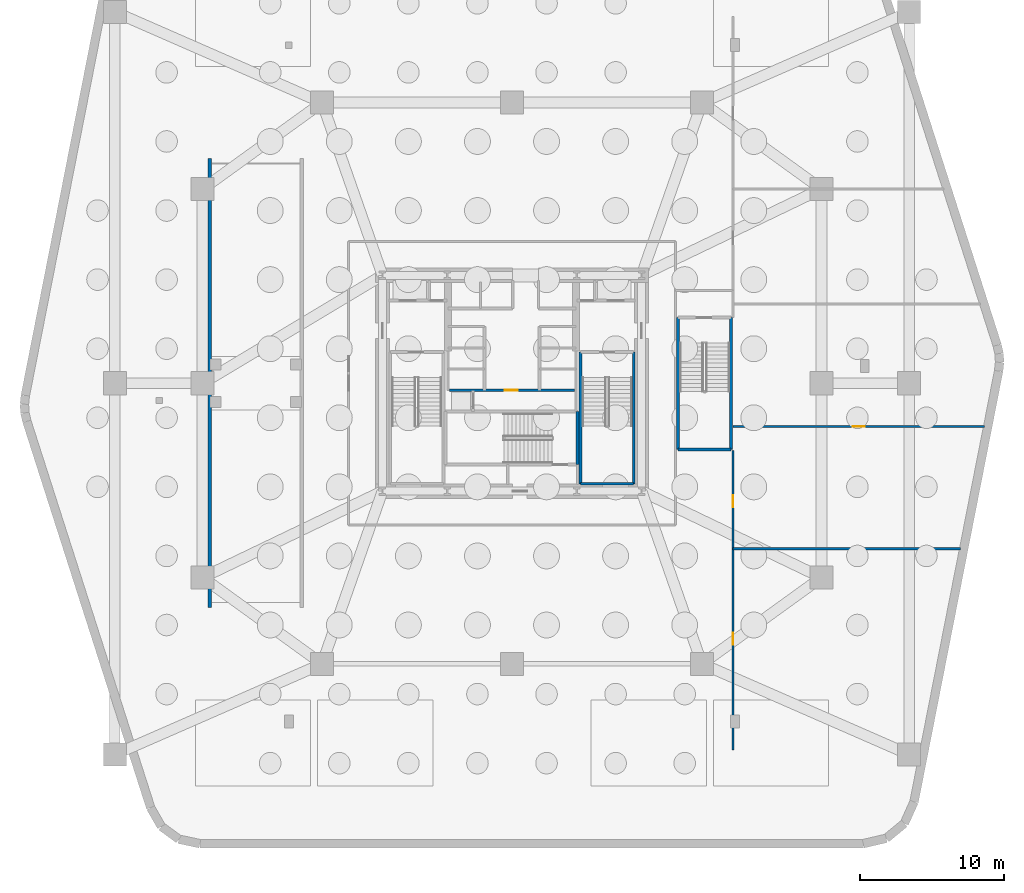
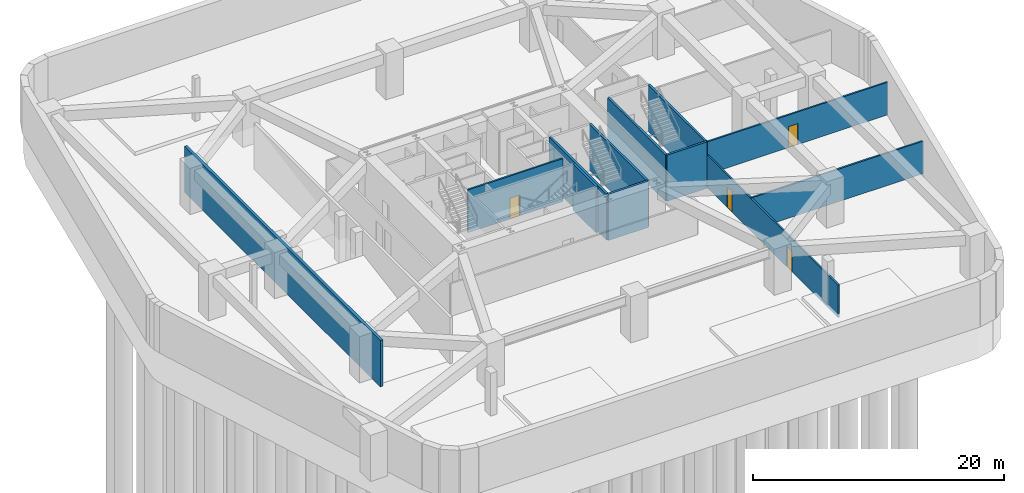
# One storey, part 3 of 8: 12 walls, 4 doors, 4 openings.
"""IFC4 building model written with IfcOpenShell, lengths in metres."""

import ifcopenshell
import ifcopenshell.guid

model = None  # the IFC model being written
_history = None  # IfcOwnerHistory: only IFC2X3 demands one
_inside = {}  # id of a spatial element -> (the spatial element, [elements in it])
_under = {}  # id of a project, library or spatial element -> (it, [spatial elements below it])
_declared = {}  # id of a project -> (the project, [libraries it declares])
_typed = {}  # id of a type object -> (the type object, [elements of that type])
_made_of = {}  # id of a material, layer set ... -> (it, [elements and type objects made of it])


def new_model(schema):
    """Start an empty IFC model of exactly this schema.

    Asked for "IFC4X3", IfcOpenShell would pick the latest addendum, in which some entities
    have other attributes; the version numbers below select the first issue.
    IFC2X3 requires an IfcOwnerHistory on every rooted entity: one is made here for all.
    """
    global model, _history
    if schema == "IFC4X3":
        model = ifcopenshell.file(schema_version=(4, 3, 0, 0))
    else:
        model = ifcopenshell.file(schema=schema)
    _inside.clear()
    _under.clear()
    _declared.clear()
    _typed.clear()
    _made_of.clear()
    _history = None
    if model.schema == "IFC2X3":
        org = make("IfcOrganization", Name="unknown")
        user = make(
            "IfcPersonAndOrganization",
            ThePerson=make("IfcPerson", FamilyName="unknown"),
            TheOrganization=org,
        )
        app = make(
            "IfcApplication",
            ApplicationDeveloper=org,
            Version="unknown",
            ApplicationFullName="unknown",
            ApplicationIdentifier="unknown",
        )
        _history = make(
            "IfcOwnerHistory",
            OwningUser=user,
            OwningApplication=app,
            ChangeAction="ADDED",
            CreationDate=0,
        )
    return model


def make(cls, **values):
    """One entity of the class cls with the attributes given. An attribute that is None is left unset."""
    return model.create_entity(
        cls, **{name: value for name, value in values.items() if value is not None}
    )


def rooted(cls, **values):
    """An entity with a GlobalId (a new one), such as an element, a storey or a relation."""
    return make(cls, GlobalId=ifcopenshell.guid.new(), OwnerHistory=_history, **values)


def si_unit(unit_type, name, prefix=None):
    """IfcSIUnit, for example si_unit("LENGTHUNIT", "METRE", prefix="MILLI")."""
    return make("IfcSIUnit", UnitType=unit_type, Prefix=prefix, Name=name)


def assignment(units):
    """IfcUnitAssignment: the units of a project."""
    return None if units is None else make("IfcUnitAssignment", Units=units)


def point(xyz):
    """IfcCartesianPoint."""
    return None if xyz is None else make("IfcCartesianPoint", Coordinates=xyz)


def direction(xyz):
    """IfcDirection."""
    return None if xyz is None else make("IfcDirection", DirectionRatios=xyz)


def frame(location, z_axis=None, x_axis=None):
    """IfcAxis2Placement3D, a coordinate frame: its origin and axes. An axis left out is left unset."""
    return make(
        "IfcAxis2Placement3D",
        Location=point(location),
        Axis=direction(z_axis),
        RefDirection=direction(x_axis),
    )


def frame_2d(location, x_axis=None):
    """IfcAxis2Placement2D, a coordinate frame in the plane: its origin and x axis."""
    return make(
        "IfcAxis2Placement2D", Location=point(location), RefDirection=direction(x_axis)
    )


def origin():
    """The frame at (0, 0, 0) with its axes left unset."""
    return frame((0.0, 0.0, 0.0))


def place(relative_to, where):
    """IfcLocalPlacement: puts the frame where relative to a parent placement (None: the world)."""
    return make(
        "IfcLocalPlacement", PlacementRelTo=relative_to, RelativePlacement=where
    )


def context(
    kind, dimensions, precision=None, world=None, true_north=None, identifier=None
):
    """IfcGeometricRepresentationContext, for example the 3D "Model" context."""
    return make(
        "IfcGeometricRepresentationContext",
        ContextIdentifier=identifier,
        ContextType=kind,
        CoordinateSpaceDimension=dimensions,
        Precision=precision,
        WorldCoordinateSystem=world,
        TrueNorth=true_north,
    )


def subcontext(parent, identifier, kind, view, scale=None):
    """IfcGeometricRepresentationSubContext, for example "Body" below "Model"."""
    return make(
        "IfcGeometricRepresentationSubContext",
        ContextIdentifier=identifier,
        ContextType=kind,
        ParentContext=parent,
        TargetScale=scale,
        TargetView=view,
    )


def project(units=None, contexts=None):
    """IfcProject with its units and contexts."""
    return rooted(
        "IfcProject",
        Name="project",
        RepresentationContexts=contexts,
        UnitsInContext=assignment(units),
    )


def spatial(cls, under=None, at=None, **own):
    """A site, building, storey or space (cls), placed at a placement, below another one or the project."""
    s = rooted(cls, ObjectPlacement=at, **own)
    if under is not None:
        _under.setdefault(under.id(), (under, []))[1].append(s)
    return s


def profile(cls, at=None, kind="AREA", **sizes):
    """A parametric profile (cls). Its sizes go by their IFC names, for example OverallWidth=200.0."""
    return make(cls, ProfileType=kind, Position=at, **sizes)


def rectangle(**sizes):
    """IfcRectangleProfileDef."""
    return profile("IfcRectangleProfileDef", **sizes)


def extrude(swept, where, along, depth):
    """IfcExtrudedAreaSolid: the profile swept, set in the frame where, extruded along a direction by depth."""
    return make(
        "IfcExtrudedAreaSolid",
        SweptArea=swept,
        Position=where,
        ExtrudedDirection=direction(along),
        Depth=depth,
    )


def shape(context_of_items, identifier, shape_type, items):
    """IfcShapeRepresentation: the items that make up one representation, for example the "Body"."""
    return make(
        "IfcShapeRepresentation",
        ContextOfItems=context_of_items,
        RepresentationIdentifier=identifier,
        RepresentationType=shape_type,
        Items=items,
    )


def material(Name=None, Category=None):
    """IfcMaterial."""
    return make("IfcMaterial", Name=Name, Category=Category)


def layer(
    of_material, thickness, ventilated=None, Name=None, Category=None, Priority=None
):
    """IfcMaterialLayer: one layer of a wall or slab, of a material (None: an air gap)."""
    return make(
        "IfcMaterialLayer",
        Material=of_material,
        LayerThickness=thickness,
        IsVentilated=ventilated,
        Name=Name,
        Category=Category,
        Priority=Priority,
    )


def layer_set(layers, Name=None):
    """IfcMaterialLayerSet."""
    return make("IfcMaterialLayerSet", MaterialLayers=layers, LayerSetName=Name)


def made_of(thing, what):
    """Note that an element or type object is made of a material, layer set ...; save() writes the relation."""
    if what is not None:
        _made_of.setdefault(what.id(), (what, []))[1].append(thing)
    return thing


def type_object(cls, material=None, **own):
    """A type object (cls), such as IfcWallType, which elements share."""
    return made_of(rooted(cls, **own), material)


def element(
    cls,
    number,
    at=None,
    inside=None,
    cuts=None,
    type_object=None,
    material=None,
    context=None,
    identifier="Body",
    shape_type=None,
    held_by="IfcProductDefinitionShape",
    body=None,
    shapes=None,
    **own,
):
    """One element of the class cls, such as IfcWall. Its Tag is "e" and its number.

    at: its placement. inside: the storey or other place that contains it. cuts: it is an
    opening in that element (IfcRelVoidsElement). A single representation is given by context,
    identifier, shape_type and body (its items); several are given by shapes. held_by: the class
    of the entity that holds the representations. save() writes the other relations.
    """
    e = rooted(cls, Tag="e%d" % number, ObjectPlacement=at, **own)
    if body is not None:
        shapes = [shape(context, identifier, shape_type, body)]
    if shapes is not None:
        e.Representation = make(held_by, Representations=shapes)
    if inside is not None:
        _inside.setdefault(inside.id(), (inside, []))[1].append(e)
    if cuts is not None:
        rooted(
            "IfcRelVoidsElement", RelatingBuildingElement=cuts, RelatedOpeningElement=e
        )
    if type_object is not None:
        _typed.setdefault(type_object.id(), (type_object, []))[1].append(e)
    return made_of(e, material)


def fill(opening, filler):
    """IfcRelFillsElement: the door or window that sits in an opening."""
    return rooted(
        "IfcRelFillsElement",
        RelatingOpeningElement=opening,
        RelatedBuildingElement=filler,
    )


def aggregate(whole, parts):
    """IfcRelAggregates: a whole, such as a stair, and the parts it consists of."""
    return rooted("IfcRelAggregates", RelatingObject=whole, RelatedObjects=parts)


def save(model, path):
    """Write the relations noted so far, then the file.

    IfcRelAggregates (storeys below a building ...), IfcRelContainedInSpatialStructure (elements
    in a storey), IfcRelDefinesByType, IfcRelAssociatesMaterial and IfcRelDeclares: one each for
    every whole, place, type object, material and project.
    """
    for whole, parts in _under.values():
        aggregate(whole, parts)
    for where, things in _inside.values():
        rooted(
            "IfcRelContainedInSpatialStructure",
            RelatedElements=things,
            RelatingStructure=where,
        )
    for kind, things in _typed.values():
        rooted("IfcRelDefinesByType", RelatedObjects=things, RelatingType=kind)
    for what, things in _made_of.values():
        rooted("IfcRelAssociatesMaterial", RelatedObjects=things, RelatingMaterial=what)
    for by, libraries in _declared.values():
        rooted("IfcRelDeclares", RelatingContext=by, RelatedDefinitions=libraries)
    model.write(path)


model = new_model("IFC4")

# Units and contexts
model_context = context("Model", 3, precision=1e-05, world=origin(), true_north=direction((0.0, 1.0)))
body_context = subcontext(model_context, "Body", "Model", "MODEL_VIEW")
ifc_project = project(units=[si_unit("LENGTHUNIT", "METRE"), si_unit("AREAUNIT", "SQUARE_METRE"), si_unit("VOLUMEUNIT", "CUBIC_METRE"), si_unit("PLANEANGLEUNIT", "RADIAN"), si_unit("MASSUNIT", "GRAM", prefix="KILO")], contexts=[model_context])

# Site, building, storey
site_placement = place(None, origin())
site = spatial("IfcSite", under=ifc_project, at=site_placement, CompositionType="ELEMENT")
building_placement = place(site_placement, origin())
building = spatial("IfcBuilding", under=site, at=building_placement, Name="Kilnhurst Terrace Hotel", CompositionType="ELEMENT")
storey_placement = place(building_placement, frame((0.0, 0.0, -9.0)))
storey = spatial("IfcBuildingStorey", under=building, at=storey_placement, Name="B2", CompositionType="ELEMENT", Elevation=-9.0)

# Wall, openings, doors
ifc_material_1 = material(Name="Acoustic Double-Gypsum Corridor Partition Assembly")
ifc_layer_1 = layer(ifc_material_1, 0.14990234375, Name="Acoustic Double-Gypsum Corridor Partition Assembly")
ifc_layer_set_1 = layer_set([ifc_layer_1], Name="Acoustic Double-Gypsum Corridor Partition Assembly")
wall_type_1 = type_object("IfcWallType", Name="WL-COR-150", PredefinedType="PARTITIONING", material=ifc_layer_set_1)
wall_1_placement = place(storey_placement, frame((15.35009765625, -25.5, 0.0), z_axis=(0.0, 0.0, 1.0), x_axis=(0.0, 1.0, 0.0)))
wall_1 = element("IfcWall", 1, at=wall_1_placement, inside=storey, type_object=wall_type_1, Name="B2 Interior Wall WL-B2-EWING-S", PredefinedType="PARTITIONING", context=body_context, shape_type="SweptSolid", body=[
    extrude(rectangle(XDim=20.840087890625, YDim=0.14990234375, at=frame_2d((10.419921875, 0.0))), origin(), (0.0, 0.0, 1.0), 3.169921875),
])
opening_1_placement = place(wall_1_placement, frame((7.324951171875, 0.0, 0.0)))
opening_1 = element("IfcOpeningElement", 2, at=opening_1_placement, cuts=wall_1, Name="Opening D-60D", PredefinedType="OPENING", context=body_context, shape_type="SweptSolid", body=[
    extrude(rectangle(XDim=0.85009765625, YDim=2.030029296875, at=frame_2d((0.425048828125, 1.01513671875))), frame((0.0, 0.0849609375, 0.0), z_axis=(0.0, -1.0, 0.0), x_axis=(1.0, 0.0, 0.0)), (0.0, 0.0, 1.0), 0.169921875),
])
opening_2_placement = place(wall_1_placement, frame((16.875, 0.0, 0.0)))
opening_2 = element("IfcOpeningElement", 3, at=opening_2_placement, cuts=wall_1, Name="Opening D-60D", PredefinedType="OPENING", context=body_context, shape_type="SweptSolid", body=[
    extrude(rectangle(XDim=0.85009765625, YDim=2.030029296875, at=frame_2d((0.425048828125, 1.01513671875))), frame((0.0, 0.0849609375, 0.0), z_axis=(0.0, -1.0, 0.0), x_axis=(1.0, 0.0, 0.0)), (0.0, 0.0, 1.0), 0.169921875),
])
ifc_material_2 = material(Name="Painted Hollow Metal Steel ASTM A36 Riser Door", Category="steel")
door_type_1 = type_object("IfcDoorType", Name="DR-FD60-850", OperationType="NOTDEFINED", PredefinedType="DOOR", material=ifc_material_2)
door_1_placement = place(opening_1_placement, origin())
door_1 = element("IfcDoor", 4, at=door_1_placement, inside=storey, type_object=door_type_1, Name="B2 Domestic Water Storage and Fire Pump Plant Room Door", OperationType="SINGLE_SWING_LEFT", OverallHeight=2.030029296875, OverallWidth=0.85009765625, PredefinedType="DOOR", context=body_context, shape_type="SweptSolid", body=[
    extrude(rectangle(XDim=0.85009765625, YDim=2.030029296875, at=frame_2d((0.425048828125, 1.01513671875))), frame((0.0, 0.02490234375, 0.0), z_axis=(0.0, -1.0, 0.0), x_axis=(1.0, 0.0, 0.0)), (0.0, 0.0, 1.0), 0.050048828125),
])
fill(opening_1, door_1)
door_2_placement = place(opening_2_placement, origin())
door_2 = element("IfcDoor", 5, at=door_2_placement, inside=storey, type_object=door_type_1, Name="B2 Main Chiller and Heat Rejection Plant Hall Door", OperationType="SINGLE_SWING_RIGHT", OverallHeight=2.030029296875, OverallWidth=0.85009765625, PredefinedType="DOOR", context=body_context, shape_type="SweptSolid", body=[
    extrude(rectangle(XDim=0.85009765625, YDim=2.030029296875, at=frame_2d((0.425048828125, 1.01513671875))), frame((0.0, 0.02490234375, 0.0), z_axis=(0.0, -1.0, 0.0), x_axis=(1.0, 0.0, 0.0)), (0.0, 0.0, 1.0), 0.050048828125),
])
fill(opening_2, door_2)

# Wall
wall_2_placement = place(storey_placement, frame((15.35009765625, -11.5, 0.0), z_axis=(0.0, 0.0, 1.0), x_axis=(1.0, 0.0, 0.0)))
element("IfcWall", 6, at=wall_2_placement, inside=storey, type_object=wall_type_1, Name="B2 Interior Wall WL-B2-EDIV-1", PredefinedType="PARTITIONING", context=body_context, shape_type="SweptSolid", body=[
    extrude(rectangle(XDim=15.81640625, YDim=0.14990234375, at=frame_2d((7.908203125, 0.0))), origin(), (0.0, 0.0, 1.0), 3.169921875),
])

# Wall, opening, door
wall_3_placement = place(storey_placement, frame((15.35009765625, -3.0, 0.0), z_axis=(0.0, 0.0, 1.0), x_axis=(1.0, 0.0, 0.0)))
wall_3 = element("IfcWall", 7, at=wall_3_placement, inside=storey, type_object=wall_type_1, Name="B2 Interior Wall WL-B2-EDIV-2", PredefinedType="PARTITIONING", context=body_context, shape_type="SweptSolid", body=[
    extrude(rectangle(XDim=17.48583984375, YDim=0.14990234375, at=frame_2d((8.742919921875, 0.0))), origin(), (0.0, 0.0, 1.0), 3.169921875),
])
opening_3_placement = place(wall_3_placement, frame((8.318115234375, 0.0, 0.0)))
opening_3 = element("IfcOpeningElement", 8, at=opening_3_placement, cuts=wall_3, Name="Opening D-60D", PredefinedType="OPENING", context=body_context, shape_type="SweptSolid", body=[
    extrude(rectangle(XDim=0.85009765625, YDim=2.030029296875, at=frame_2d((0.425048828125, 1.01513671875))), frame((0.0, 0.0849609375, 0.0), z_axis=(0.0, -1.0, 0.0), x_axis=(1.0, 0.0, 0.0)), (0.0, 0.0, 1.0), 0.169921875),
])
door_3_placement = place(opening_3_placement, origin())
door_3 = element("IfcDoor", 9, at=door_3_placement, inside=storey, type_object=door_type_1, Name="B2 Primary Medium Voltage Switchgear Room Door", OperationType="SINGLE_SWING_LEFT", OverallHeight=2.030029296875, OverallWidth=0.85009765625, PredefinedType="DOOR", context=body_context, shape_type="SweptSolid", body=[
    extrude(rectangle(XDim=0.85009765625, YDim=2.030029296875, at=frame_2d((0.425048828125, 1.01513671875))), frame((0.0, 0.02490234375, 0.0), z_axis=(0.0, -1.0, 0.0), x_axis=(1.0, 0.0, 0.0)), (0.0, 0.0, 1.0), 0.050048828125),
])
fill(opening_3, door_3)

# Wall
ifc_material_3 = material(Name="Concrete C50/60", Category="concrete")
ifc_layer_2 = layer(ifc_material_3, 0.25, Name="Concrete C50/60")
ifc_layer_set_2 = layer_set([ifc_layer_2], Name="Concrete C50/60")
wall_type_2 = type_object("IfcWallType", Name="WL-RAMP-RC-250", PredefinedType="SHEAR", material=ifc_layer_set_2)
wall_4_placement = place(storey_placement, frame((-21.0, -15.60009765625, 0.0), z_axis=(0.0, 0.0, 1.0), x_axis=(0.0, 1.0, 0.0)))
element("IfcWall", 10, at=wall_4_placement, inside=storey, type_object=wall_type_2, Name="B2 Car Park Ramp Structural Support Wall W", PredefinedType="SHEAR", context=body_context, shape_type="SweptSolid", body=[
    extrude(rectangle(XDim=31.2001953125, YDim=0.25, at=frame_2d((15.60009765625, 0.0))), origin(), (0.0, 0.0, 1.0), 4.5),
])

# Wall, opening, door
ifc_material_4 = material(Name="Fire-Rated Gypsum Shaftliner Assembly")
ifc_layer_3 = layer(ifc_material_4, 0.14990234375, Name="Fire-Rated Gypsum Shaftliner Assembly")
ifc_layer_set_3 = layer_set([ifc_layer_3], Name="Fire-Rated Gypsum Shaftliner Assembly")
wall_type_3 = type_object("IfcWallType", Name="WL-SHAFT-150", PredefinedType="PARTITIONING", material=ifc_layer_set_3)
wall_5_placement = place(storey_placement, frame((-4.360107421875, -0.489990234375, 0.0), z_axis=(0.0, 0.0, 1.0), x_axis=(1.0, 0.0, 0.0)))
wall_5 = element("IfcWall", 11, at=wall_5_placement, inside=storey, type_object=wall_type_3, Name="B2 Interior Wall WL-B2-BOH-N", PredefinedType="PARTITIONING", context=body_context, shape_type="SweptSolid", body=[
    extrude(rectangle(XDim=8.72021484375, YDim=0.14990234375, at=frame_2d((4.360107421875, 0.0))), origin(), (0.0, 0.0, 1.0), 4.179931640625),
])
opening_4_placement = place(wall_5_placement, frame((3.860107421875, 0.0, 0.0)))
opening_4 = element("IfcOpeningElement", 12, at=opening_4_placement, cuts=wall_5, Name="Opening D-60C", PredefinedType="OPENING", context=body_context, shape_type="SweptSolid", body=[
    extrude(rectangle(XDim=0.89990234375, YDim=2.030029296875, at=frame_2d((0.449951171875, 1.01513671875))), frame((0.0, 0.0849609375, 0.0), z_axis=(0.0, -1.0, 0.0), x_axis=(1.0, 0.0, 0.0)), (0.0, 0.0, 1.0), 0.169921875),
])
ifc_material_5 = material(Name="Painted Solid-Core Service Fire Door")
door_type_2 = type_object("IfcDoorType", Name="DR-FD60-900", OperationType="NOTDEFINED", PredefinedType="DOOR", material=ifc_material_5)
door_4_placement = place(opening_4_placement, origin())
door_4 = element("IfcDoor", 13, at=door_4_placement, inside=storey, type_object=door_type_2, Name="B2 Housekeeping Laundry Door", OperationType="SINGLE_SWING_LEFT", OverallHeight=2.030029296875, OverallWidth=0.89990234375, PredefinedType="DOOR", context=body_context, shape_type="SweptSolid", body=[
    extrude(rectangle(XDim=0.89990234375, YDim=2.030029296875, at=frame_2d((0.449951171875, 1.01513671875))), frame((0.0, 0.02490234375, 0.0), z_axis=(0.0, -1.0, 0.0), x_axis=(1.0, 0.0, 0.0)), (0.0, 0.0, 1.0), 0.050048828125),
])
fill(opening_4, door_4)

# Walls
ifc_layer_4 = layer(ifc_material_3, 0.199951171875, Name="Concrete C50/60")
ifc_layer_set_4 = layer_set([ifc_layer_4], Name="Concrete C50/60")
wall_type_4 = type_object("IfcWallType", Name="WL-STAIR-RC-200", PredefinedType="SHEAR", material=ifc_layer_set_4)
for number, where, z_axis, x_axis, name in (
    (14, (4.77197265625, -6.985107421875, 0.0), (0.0, 0.0, 1.0), (0.0, 1.0, 0.0), "B2 Structural Stair Shaft Wall WL-B2-ST2-W"),
    (15, (8.4580078125, -6.985107421875, 0.0), (0.0, 0.0, 1.0), (0.0, 1.0, 0.0), "B2 Structural Stair Shaft Wall WL-B2-ST2-E"),
):
    element("IfcWall", number, at=place(storey_placement, frame(where, z_axis=z_axis, x_axis=x_axis)), inside=storey, type_object=wall_type_4, Name=name, PredefinedType="SHEAR", context=body_context, shape_type="SweptSolid", body=[
        extrude(rectangle(XDim=9.14306640625, YDim=0.199951171875, at=frame_2d((4.571533203125, 0.0))), origin(), (0.0, 0.0, 1.0), 4.5),
    ])
for number, where, z_axis, x_axis, name in (
    (16, (4.77197265625, -6.985107421875, 0.0), (0.0, 0.0, 1.0), (1.0, 0.0, 0.0), "B2 Structural Stair Shaft Wall WL-B2-ST2-S"),
    (17, (4.55810546875, -5.657958984375, 0.0), (0.0, 0.0, 1.0), (0.0, 1.0, 0.0), "B2 Structural Stair Shaft Wall WL-B2-ST3-E"),
):
    element("IfcWall", number, at=place(storey_placement, frame(where, z_axis=z_axis, x_axis=x_axis)), inside=storey, type_object=wall_type_4, Name=name, PredefinedType="SHEAR", context=body_context, shape_type="SweptSolid", body=[
        extrude(rectangle(XDim=3.68603515625, YDim=0.199951171875, at=frame_2d((1.843017578125, 0.0))), origin(), (0.0, 0.0, 1.0), 4.5),
    ])
for number, where, z_axis, x_axis, name in (
    (18, (11.5419921875, -4.60791015625, 0.0), (0.0, 0.0, 1.0), (0.0, 1.0, 0.0), "B2 Podium Stair ST-4 Structural Shaft Wall WL-B2-ST4-W"),
    (19, (15.22802734375, -4.60791015625, 0.0), (0.0, 0.0, 1.0), (0.0, 1.0, 0.0), "B2 Podium Stair ST-4 Structural Shaft Wall WL-B2-ST4-E"),
):
    element("IfcWall", number, at=place(storey_placement, frame(where, z_axis=z_axis, x_axis=x_axis)), inside=storey, type_object=wall_type_4, Name=name, PredefinedType="SHEAR", context=body_context, shape_type="SweptSolid", body=[
        extrude(rectangle(XDim=9.166015625, YDim=0.199951171875, at=frame_2d((4.5830078125, 0.0))), origin(), (0.0, 0.0, 1.0), 4.5),
    ])
wall_6_placement = place(storey_placement, frame((11.5419921875, -4.60791015625, 0.0), z_axis=(0.0, 0.0, 1.0), x_axis=(1.0, 0.0, 0.0)))
element("IfcWall", 20, at=wall_6_placement, inside=storey, type_object=wall_type_4, Name="B2 Podium Stair ST-4 Structural Shaft Wall WL-B2-ST4-S", PredefinedType="SHEAR", context=body_context, shape_type="SweptSolid", body=[
    extrude(rectangle(XDim=3.68603515625, YDim=0.199951171875, at=frame_2d((1.843017578125, 0.0))), origin(), (0.0, 0.0, 1.0), 4.5),
])

save(model, "model.ifc")
